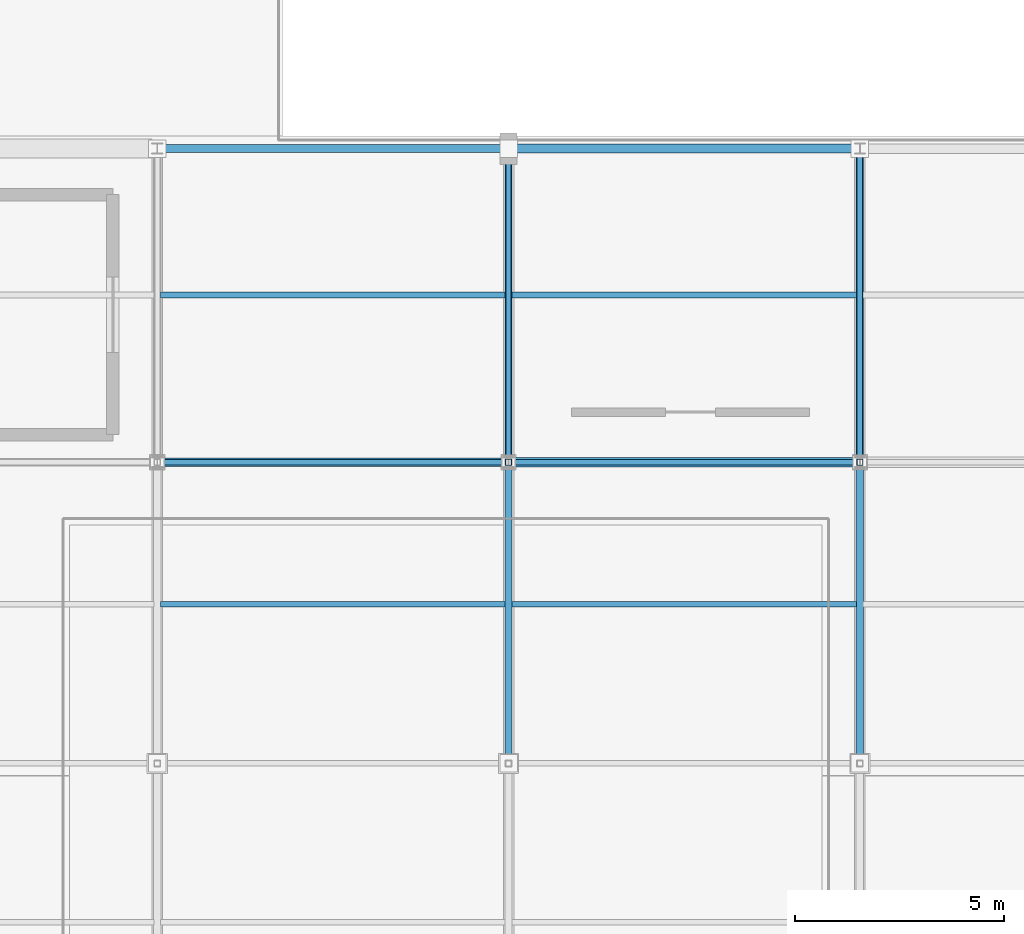
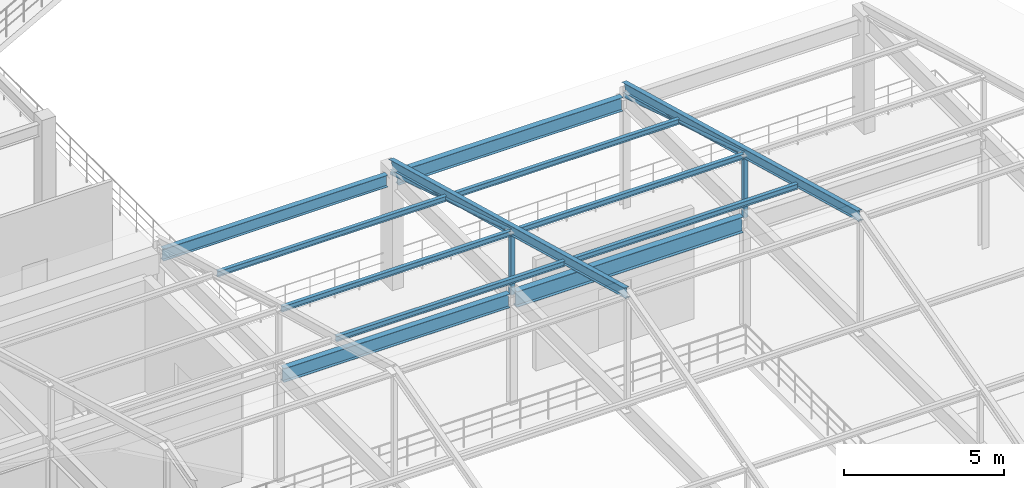
# One storey, part 33 of 112: 12 members, 4 beams.
"""IFC4 building model written with IfcOpenShell, lengths in metres."""

from ifc_helpers import new_model, si_unit, direction, frame, origin, origin_2d, place, context, subcontext, project, spatial, hollow_rectangle, hollow_circle, i_section, extrude, material, material_profile, profile_set, type_object, element, save


model = new_model("IFC4")

# Units and contexts
model_context = context("Model", 3, precision=1e-05, world=origin(), true_north=direction((0.0, 1.0)))
body_context = subcontext(model_context, "Body", "Model", "MODEL_VIEW")
ifc_project = project(units=[si_unit("LENGTHUNIT", "METRE"), si_unit("AREAUNIT", "SQUARE_METRE"), si_unit("VOLUMEUNIT", "CUBIC_METRE"), si_unit("PLANEANGLEUNIT", "RADIAN"), si_unit("MASSUNIT", "GRAM", prefix="KILO")], contexts=[model_context])

# Site, building, storey
site_placement = place(None, origin())
site = spatial("IfcSite", under=ifc_project, at=site_placement, CompositionType="ELEMENT")
building_placement = place(site_placement, origin())
building = spatial("IfcBuilding", under=site, at=building_placement, Name="Cinderbank Siding Concert Hall", CompositionType="ELEMENT")
storey_placement = place(building_placement, frame((0.0, 0.0, 10.199951171875)))
storey = spatial("IfcBuildingStorey", under=building, at=storey_placement, Name="L03", CompositionType="ELEMENT", Elevation=10.199951171875)

# Beams
ifc_material_1 = material(Name="Structural steel AS/NZS 3679.1 Grade 350 (340 MPa)", Category="steel")
ifc_material_profile_1 = material_profile(ifc_material_1, i_section(OverallWidth=0.18994140625, OverallDepth=0.45751953125, WebThickness=0.009033203125, FlangeThickness=0.014404296875, at=origin_2d()), Name="460UB74.6", Category="LoadBearing")
ifc_profile_set_1 = profile_set([ifc_material_profile_1], Name="Structural steel AS/NZS 3679.1 Grade 350 (340 MPa)")
beam_type_1 = type_object("IfcBeamType", Name="BM-UB460 460UB74.6", PredefinedType="BEAM", material=ifc_profile_set_1)
beam_1_placement = place(storey_placement, frame((20.718994140625, 35.5, 4.013427734375), z_axis=(1.0, 0.0, 0.0), x_axis=(0.0, 1.0, 0.0)))
element("IfcBeam", 1, at=beam_1_placement, inside=storey, type_object=beam_type_1, Name="L03 Beam BM-UB460 #1721", PredefinedType="BEAM", context=body_context, shape_type="SweptSolid", body=[
    extrude(i_section(OverallWidth=0.18994140625, OverallDepth=0.45751953125, WebThickness=0.009033203125, FlangeThickness=0.014404296875, at=origin_2d()), origin(), (0.0, 0.0, 1.0), 8.089111328125),
])
ifc_material_profile_2 = material_profile(ifc_material_1, i_section(OverallWidth=0.208984375, OverallDepth=0.5283203125, WebThickness=0.009521484375, FlangeThickness=0.01318359375, at=origin_2d()), Name="530UB82.0", Category="LoadBearing")
ifc_profile_set_2 = profile_set([ifc_material_profile_2], Name="Structural steel AS/NZS 3679.1 Grade 350 (340 MPa)")
beam_type_2 = type_object("IfcBeamType", Name="BM-UB530 530UB82.0", PredefinedType="BEAM", material=ifc_profile_set_2)
beam_2_placement = place(storey_placement, frame((20.718994140625, 28.0, 3.97802734375), z_axis=(1.0, 0.0, 0.0), x_axis=(0.0, 1.0, 0.0)))
element("IfcBeam", 2, at=beam_2_placement, inside=storey, type_object=beam_type_2, Name="L03 Beam BM-UB530 #1720", PredefinedType="BEAM", context=body_context, shape_type="SweptSolid", body=[
    extrude(i_section(OverallWidth=0.208984375, OverallDepth=0.5283203125, WebThickness=0.009521484375, FlangeThickness=0.01318359375, at=origin_2d()), origin(), (0.0, 0.0, 1.0), 8.162109375),
])
beam_3_placement = place(storey_placement, frame((29.19189453125, 35.5, 3.97802734375), z_axis=(1.0, 0.0, 0.0), x_axis=(0.0, 1.0, 0.0)))
element("IfcBeam", 3, at=beam_3_placement, inside=storey, type_object=beam_type_2, Name="L03 Beam BM-UB530 #1725", PredefinedType="BEAM", context=body_context, shape_type="SweptSolid", body=[
    extrude(i_section(OverallWidth=0.208984375, OverallDepth=0.5283203125, WebThickness=0.009521484375, FlangeThickness=0.01318359375, at=origin_2d()), origin(), (0.0, 0.0, 1.0), 8.089111328125),
])
ifc_material_profile_3 = material_profile(ifc_material_1, i_section(OverallWidth=0.22802734375, OverallDepth=0.602294921875, WebThickness=0.010498046875, FlangeThickness=0.014892578125, at=origin_2d()), Name="610UB101", Category="LoadBearing")
ifc_profile_set_3 = profile_set([ifc_material_profile_3], Name="Structural steel AS/NZS 3679.1 Grade 350 (340 MPa)")
beam_type_3 = type_object("IfcBeamType", Name="BM-UB610 610UB101", PredefinedType="BEAM", material=ifc_profile_set_3)
beam_4_placement = place(storey_placement, frame((29.118896484375, 28.0, 3.94091796875), z_axis=(1.0, 0.0, 0.0), x_axis=(0.0, 1.0, 0.0)))
element("IfcBeam", 4, at=beam_4_placement, inside=storey, type_object=beam_type_3, Name="L03 Beam BM-UB610 #1724", PredefinedType="BEAM", context=body_context, shape_type="SweptSolid", body=[
    extrude(i_section(OverallWidth=0.22802734375, OverallDepth=0.602294921875, WebThickness=0.010498046875, FlangeThickness=0.014892578125, at=origin_2d()), origin(), (0.0, 0.0, 1.0), 8.162109375),
])

# Members
ifc_material_2 = material(Name="Structural steel hollow section AS/NZS 1163 Grade C350L0 (350 MPa)", Category="steel")
ifc_material_profile_4 = material_profile(ifc_material_2, hollow_circle(Radius=0.06982421875, WallThickness=0.00634765625, at=origin_2d()), Name="139.7x6.4CHS", Category="LoadBearing")
ifc_profile_set_4 = profile_set([ifc_material_profile_4], Name="Structural steel hollow section AS/NZS 1163 Grade C350L0 (350 MPa)")
member_type_1 = type_object("IfcMemberType", Name="BR-CHS139 139.7x6.4CHS Roof Truss", PredefinedType="BRACE", material=ifc_profile_set_4)
for number, where, z_axis, x_axis, name in (
    (5, (29.0, 35.5, 4.199951171875), (0.0, -0.954249763262, 0.299010684282), (1.0, 0.0, 0.0), "L03 Diagonal Brace BR-CHS139 #V2DG-BR-CHS139-L03-2395"),
    (6, (37.39990234375, 35.5, 4.199951171875), (0.0, -0.954249763262, 0.299010684282), (1.0, 0.0, 0.0), "L03 Diagonal Brace BR-CHS139 #V2DG-BR-CHS139-L03-2402"),
):
    element("IfcMember", number, at=place(storey_placement, frame(where, z_axis=z_axis, x_axis=x_axis)), inside=storey, type_object=member_type_1, Name=name, PredefinedType="BRACE", context=body_context, shape_type="SweptSolid", body=[
        extrude(hollow_circle(Radius=0.06982421875, WallThickness=0.00634765625, at=origin_2d()), origin(), (0.0, 0.0, 1.0), 7.859619140625),
    ])
ifc_material_profile_5 = material_profile(ifc_material_2, hollow_rectangle(XDim=0.14990234375, YDim=0.14990234375, WallThickness=0.008056640625, at=origin_2d()), Name="150x150x8.0SHS", Category="LoadBearing")
ifc_profile_set_5 = profile_set([ifc_material_profile_5], Name="Structural steel hollow section AS/NZS 1163 Grade C350L0 (350 MPa)")
member_type_2 = type_object("IfcMemberType", Name="BR-SHS150 150x150x8.0SHS Roof Truss", PredefinedType="BRACE", material=ifc_profile_set_5)
for number, where, z_axis, x_axis, name in (
    (7, (29.0, 28.0, 4.150146484375), (0.0, 0.0, 1.0), (1.0, 0.0, 0.0), "L03 Diagonal Brace BR-SHS150 #V2WB-BR-SHS150-L03-2393"),
    (8, (37.39990234375, 28.0, 4.150146484375), (0.0, 0.0, 1.0), (1.0, 0.0, 0.0), "L03 Diagonal Brace BR-SHS150 #V2WB-BR-SHS150-L03-2400"),
):
    element("IfcMember", number, at=place(storey_placement, frame(where, z_axis=z_axis, x_axis=x_axis)), inside=storey, type_object=member_type_2, Name=name, PredefinedType="BRACE", context=body_context, shape_type="SweptSolid", body=[
        extrude(hollow_rectangle(XDim=0.14990234375, YDim=0.14990234375, WallThickness=0.008056640625, at=origin_2d()), origin(), (0.0, 0.0, 1.0), 2.39990234375),
    ])
ifc_material_profile_6 = material_profile(ifc_material_1, i_section(OverallWidth=0.133056640625, OverallDepth=0.203125, WebThickness=0.005859375, FlangeThickness=0.0078125, at=origin_2d()), Name="200UB25.4", Category="LoadBearing")
ifc_profile_set_6 = profile_set([ifc_material_profile_6], Name="Structural steel AS/NZS 3679.1 Grade 350 (340 MPa)")
member_type_3 = type_object("IfcMemberType", Name="PR-UB200 200UB25.4 Roof Truss", PredefinedType="PURLIN", material=ifc_profile_set_6)
for number, where, z_axis, x_axis, name in (
    (9, (20.679931640625, 24.60009765625, 7.416015625), (1.0, 0.0, 0.0), (0.0, 1.0, 0.0), "L03 Roof Truss Member PR-UB200 #2421"),
    (10, (20.679931640625, 28.0, 6.490966796875), (1.0, 0.0, 0.0), (0.0, 1.0, 0.0), "L03 Roof Truss Member PR-UB200 #2422"),
    (11, (20.679931640625, 32.0, 5.40234375), (1.0, 0.0, 0.0), (0.0, 1.0, 0.0), "L03 Roof Truss Member PR-UB200 #2423"),
    (12, (29.080078125, 24.60009765625, 7.416015625), (1.0, 0.0, 0.0), (0.0, 1.0, 0.0), "L03 Roof Truss Member PR-UB200 #2428"),
    (13, (29.080078125, 28.0, 6.490966796875), (1.0, 0.0, 0.0), (0.0, 1.0, 0.0), "L03 Roof Truss Member PR-UB200 #2429"),
    (14, (29.080078125, 32.0, 5.40234375), (1.0, 0.0, 0.0), (0.0, 1.0, 0.0), "L03 Roof Truss Member PR-UB200 #2430"),
):
    element("IfcMember", number, at=place(storey_placement, frame(where, z_axis=z_axis, x_axis=x_axis)), inside=storey, type_object=member_type_3, Name=name, PredefinedType="PURLIN", context=body_context, shape_type="SweptSolid", body=[
        extrude(i_section(OverallWidth=0.133056640625, OverallDepth=0.203125, WebThickness=0.005859375, FlangeThickness=0.0078125, at=origin_2d()), origin(), (0.0, 0.0, 1.0), 8.239990234375),
    ])
ifc_material_profile_7 = material_profile(ifc_material_1, i_section(OverallWidth=0.172119140625, OverallDepth=0.358642578125, WebThickness=0.008056640625, FlangeThickness=0.012939453125, at=origin_2d()), Name="360UB56.7", Category="LoadBearing")
ifc_profile_set_7 = profile_set([ifc_material_profile_7], Name="Structural steel AS/NZS 3679.1 Grade 350 (340 MPa)")
member_type_4 = type_object("IfcMemberType", Name="TR-UB360 360UB56.7 Roof Truss", PredefinedType="RAFTER", material=ifc_profile_set_7)
for number, where, z_axis, x_axis, name in (
    (15, (29.0, 35.5, 4.550048828125), (0.0, -0.964914918446, 0.26256275471), (1.0, 0.0, 0.0), "L03 Roof Truss Member TR-UB360 #2390"),
    (16, (37.39990234375, 35.5, 4.550048828125), (0.0, -0.964914918446, 0.26256275471), (1.0, 0.0, 0.0), "L03 Roof Truss Member TR-UB360 #2397"),
):
    element("IfcMember", number, at=place(storey_placement, frame(where, z_axis=z_axis, x_axis=x_axis)), inside=storey, type_object=member_type_4, Name=name, PredefinedType="RAFTER", context=body_context, shape_type="SweptSolid", body=[
        extrude(i_section(OverallWidth=0.172119140625, OverallDepth=0.358642578125, WebThickness=0.008056640625, FlangeThickness=0.012939453125, at=origin_2d()), origin(), (0.0, 0.0, 1.0), 15.234375),
    ])

save(model, "model.ifc")
